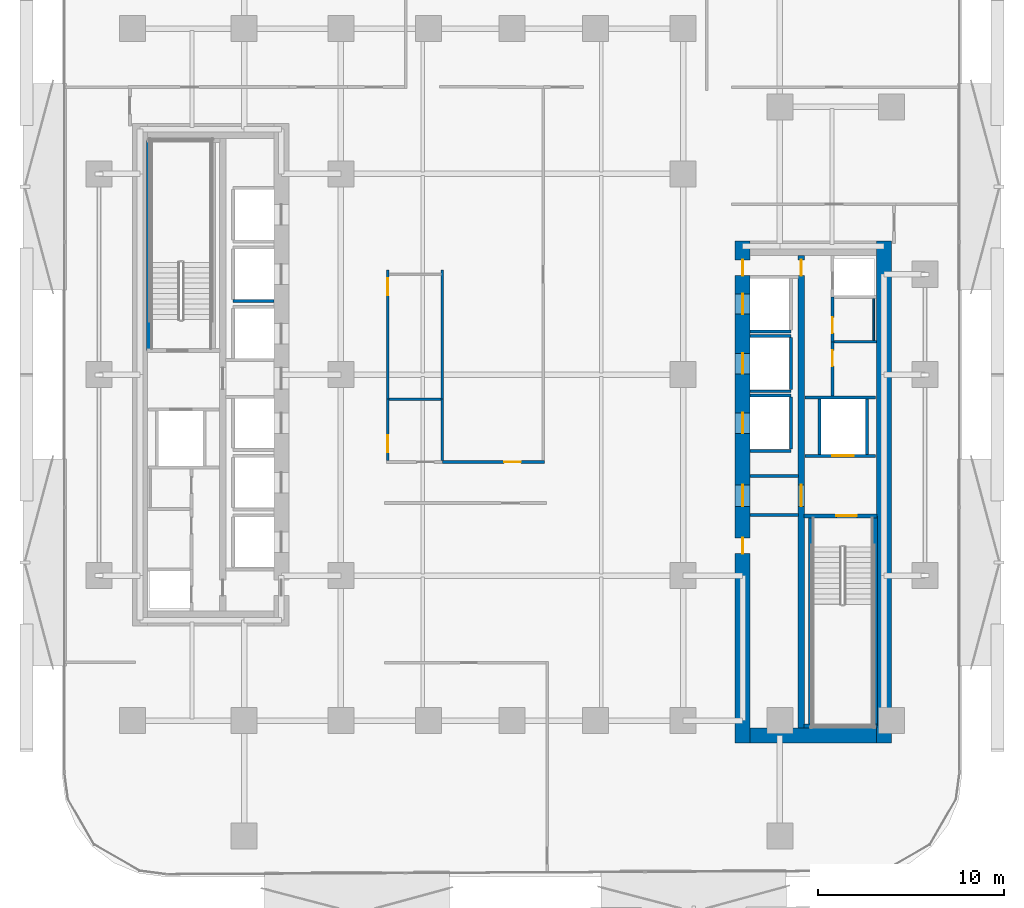
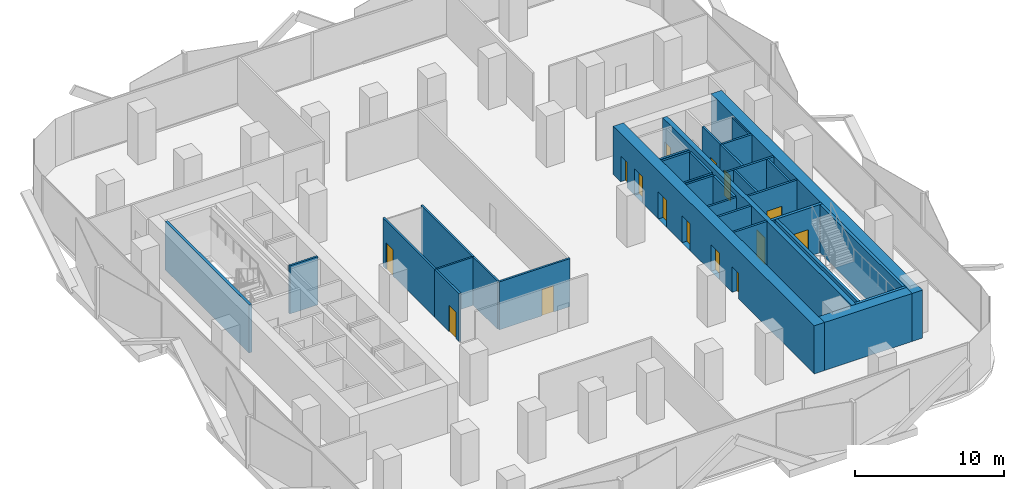
# One storey, part 4 of 15: 33 walls, 15 doors, 15 openings.
"""IFC4 building model written with IfcOpenShell, lengths in metres."""

from ifc_helpers import new_model, si_unit, direction, frame, frame_2d, origin, place, context, subcontext, project, spatial, rectangle, extrude, material, layer, layer_set, type_object, element, fill, save


model = new_model("IFC4")

# Units and contexts
model_context = context("Model", 3, precision=1e-05, world=origin(), true_north=direction((0.0, 1.0)))
body_context = subcontext(model_context, "Body", "Model", "MODEL_VIEW")
ifc_project = project(units=[si_unit("LENGTHUNIT", "METRE"), si_unit("AREAUNIT", "SQUARE_METRE"), si_unit("VOLUMEUNIT", "CUBIC_METRE"), si_unit("PLANEANGLEUNIT", "RADIAN"), si_unit("MASSUNIT", "GRAM", prefix="KILO")], contexts=[model_context])

# Site, building, storey
site_placement = place(None, origin())
site = spatial("IfcSite", under=ifc_project, at=site_placement, CompositionType="ELEMENT")
building_placement = place(site_placement, origin())
building = spatial("IfcBuilding", under=site, at=building_placement, Name="Khairoan Windgate Tower", CompositionType="ELEMENT")
storey_placement = place(building_placement, frame((0.0, 0.0, 72.199951171875)))
storey = spatial("IfcBuildingStorey", under=building, at=storey_placement, Name="L17", CompositionType="ELEMENT", Elevation=72.199951171875)

# Walls
ifc_material_1 = material(Name="Moisture-Resistant Gypsum Partition", Category="gypsum")
ifc_layer_1 = layer(ifc_material_1, 0.10009765625, Name="Moisture-Resistant Gypsum Partition")
ifc_layer_set_1 = layer_set([ifc_layer_1], Name="Moisture-Resistant Gypsum Partition")
wall_type_1 = type_object("IfcWallType", Name="Bathroom Wet-Area Partition Wall", PredefinedType="PARTITIONING", material=ifc_layer_set_1)
wall_1_placement = place(storey_placement, frame((19.449951171875, 4.090087890625, 0.0), z_axis=(0.0, 0.0, 1.0), x_axis=(0.0, -1.0, 0.0)))
element("IfcWall", 1, at=wall_1_placement, inside=storey, type_object=wall_type_1, Name="L17 Wet Room Side Wall 037", PredefinedType="PARTITIONING", context=body_context, shape_type="SweptSolid", body=[
    extrude(rectangle(XDim=2.239990234375, YDim=0.10009765625, at=frame_2d((1.1201171875, 0.0))), origin(), (0.0, 0.0, 1.0), 3.93994140625),
])
ifc_material_2 = material(Name="Concrete C40/50", Category="concrete")
ifc_layer_2 = layer(ifc_material_2, 0.159912109375, Name="Concrete C40/50")
ifc_layer_set_2 = layer_set([ifc_layer_2], Name="Concrete C40/50")
wall_type_2 = type_object("IfcWallType", Name="Core and Hoistway Enclosure Wall", PredefinedType="STANDARD", material=ifc_layer_set_2)
for number, where, z_axis, x_axis, name in (
    (2, (-14.989990234375, 3.9599609375, 0.0), (0.0, 0.0, 1.0), (1.0, 0.0, 0.0), "L17 Lift PL2 Hoistway Divider S"),
    (3, (12.800048828125, 2.31005859375, 0.0), (0.0, 0.0, 1.0), (1.0, 0.0, 0.0), "L17 Lift PL7 Hoistway Divider S"),
    (4, (12.800048828125, -0.889892578125, 0.0), (0.0, 0.0, 1.0), (1.0, 0.0, 0.0), "L17 Lift PL8 Hoistway Divider S"),
    (5, (12.800048828125, 2.090087890625, 0.0), (0.0, 0.0, 1.0), (1.0, 0.0, 0.0), "L17 Lift PL8 Hoistway Divider N"),
):
    element("IfcWall", number, at=place(storey_placement, frame(where, z_axis=z_axis, x_axis=x_axis)), inside=storey, type_object=wall_type_2, Name=name, PredefinedType="STANDARD", context=body_context, shape_type="SweptSolid", body=[
        extrude(rectangle(XDim=2.18994140625, YDim=0.159912109375, at=frame_2d((1.094970703125, 0.0))), origin(), (0.0, 0.0, 1.0), 3.93994140625),
    ])
wall_2_placement = place(storey_placement, frame((14.989990234375, -0.800048828125, 0.0), z_axis=(0.0, 0.0, 1.0), x_axis=(0.0, 1.0, 0.0)))
element("IfcWall", 6, at=wall_2_placement, inside=storey, type_object=wall_type_2, Name="L17 Lift PL8 Hoistway Back Wall", PredefinedType="STANDARD", context=body_context, shape_type="SweptSolid", body=[
    extrude(rectangle(XDim=2.800048828125, YDim=0.159912109375, at=frame_2d((1.39990234375, 0.0))), origin(), (0.0, 0.0, 1.0), 3.93994140625),
])
for number, where, z_axis, x_axis, name in (
    (7, (12.800048828125, -4.090087890625, 0.0), (0.0, 0.0, 1.0), (1.0, 0.0, 0.0), "L17 Lift PL9 Hoistway Divider S"),
    (8, (12.800048828125, -1.110107421875, 0.0), (0.0, 0.0, 1.0), (1.0, 0.0, 0.0), "L17 Lift PL9 Hoistway Divider N"),
):
    element("IfcWall", number, at=place(storey_placement, frame(where, z_axis=z_axis, x_axis=x_axis)), inside=storey, type_object=wall_type_2, Name=name, PredefinedType="STANDARD", context=body_context, shape_type="SweptSolid", body=[
        extrude(rectangle(XDim=2.18994140625, YDim=0.159912109375, at=frame_2d((1.094970703125, 0.0))), origin(), (0.0, 0.0, 1.0), 3.93994140625),
    ])
wall_3_placement = place(storey_placement, frame((14.989990234375, -4.0, 0.0), z_axis=(0.0, 0.0, 1.0), x_axis=(0.0, 1.0, 0.0)))
element("IfcWall", 9, at=wall_3_placement, inside=storey, type_object=wall_type_2, Name="L17 Lift PL9 Hoistway Back Wall", PredefinedType="STANDARD", context=body_context, shape_type="SweptSolid", body=[
    extrude(rectangle(XDim=2.800048828125, YDim=0.159912109375, at=frame_2d((1.39990234375, 0.0))), origin(), (0.0, 0.0, 1.0), 3.93994140625),
])

# Wall, opening, door
wall_4_placement = place(storey_placement, frame((15.75, -4.360107421875, 0.0), z_axis=(0.0, 0.0, 1.0), x_axis=(1.0, 0.0, 0.0)))
wall_4 = element("IfcWall", 10, at=wall_4_placement, inside=storey, type_object=wall_type_2, Name="L17 Core Shaft Wall SW-FL1-L17", PredefinedType="STANDARD", context=body_context, shape_type="SweptSolid", body=[
    extrude(rectangle(XDim=3.800048828125, YDim=0.159912109375, at=frame_2d((1.89990234375, 0.0))), origin(), (0.0, 0.0, 1.0), 3.93994140625),
])
opening_1_placement = place(wall_4_placement, frame((1.469970703125, 0.0, 0.0)))
opening_1 = element("IfcOpeningElement", 11, at=opening_1_placement, cuts=wall_4, Name="Opening LD-FL", PredefinedType="OPENING", context=body_context, shape_type="SweptSolid", body=[
    extrude(rectangle(XDim=1.14990234375, YDim=2.199951171875, at=frame_2d((0.574951171875, 1.10009765625))), frame((0.0, 0.08984375, 0.0), z_axis=(0.0, -1.0, 0.0), x_axis=(1.0, 0.0, 0.0)), (0.0, 0.0, 1.0), 0.179931640625),
])
ifc_material_3 = material(Name="Steel S355", Category="steel")
door_type_1 = type_object("IfcDoorType", Name="Firefighting Lift Sliding Landing Door LD-FL 1150x2200", OperationType="DOUBLE_DOOR_SLIDING", PredefinedType="DOOR", material=ifc_material_3)
door_1_placement = place(opening_1_placement, origin())
door_1 = element("IfcDoor", 12, at=door_1_placement, inside=storey, type_object=door_type_1, Name="L17 Firefighting Lift FL1 Landing Door", OperationType="DOUBLE_DOOR_SLIDING", OverallHeight=2.199951171875, OverallWidth=1.14990234375, PredefinedType="DOOR", context=body_context, shape_type="SweptSolid", body=[
    extrude(rectangle(XDim=1.14990234375, YDim=2.199951171875, at=frame_2d((0.574951171875, 1.10009765625))), frame((0.0, 0.02490234375, 0.0), z_axis=(0.0, -1.0, 0.0), x_axis=(1.0, 0.0, 0.0)), (0.0, 0.0, 1.0), 0.050048828125),
])
fill(opening_1, door_1)

# Walls
wall_5_placement = place(storey_placement, frame((15.75, -1.219970703125, 0.0), z_axis=(0.0, 0.0, 1.0), x_axis=(1.0, 0.0, 0.0)))
element("IfcWall", 13, at=wall_5_placement, inside=storey, type_object=wall_type_2, Name="L17 Core Shaft Wall SW-FL1T-L17", PredefinedType="STANDARD", context=body_context, shape_type="SweptSolid", body=[
    extrude(rectangle(XDim=3.800048828125, YDim=0.159912109375, at=frame_2d((1.89990234375, 0.0))), origin(), (0.0, 0.0, 1.0), 3.93994140625),
])
for number, where, z_axis, x_axis, name in (
    (14, (16.52001953125, -4.280029296875, 0.0), (0.0, 0.0, 1.0), (0.0, 1.0, 0.0), "L17 Core Shaft Wall SW-FL1W-L17"),
    (15, (19.080078125, -4.280029296875, 0.0), (0.0, 0.0, 1.0), (0.0, 1.0, 0.0), "L17 Core Shaft Wall SW-FL1E-L17"),
):
    element("IfcWall", number, at=place(storey_placement, frame(where, z_axis=z_axis, x_axis=x_axis)), inside=storey, type_object=wall_type_2, Name=name, PredefinedType="STANDARD", context=body_context, shape_type="SweptSolid", body=[
        extrude(rectangle(XDim=2.97998046875, YDim=0.159912109375, at=frame_2d((1.489990234375, 0.0))), origin(), (0.0, 0.0, 1.0), 3.93994140625),
    ])
for number, where, z_axis, x_axis, name in (
    (16, (12.800048828125, -5.449951171875, 0.0), (0.0, 0.0, 1.0), (1.0, 0.0, 0.0), "L17 Core Shaft Wall SW-EV1-L17"),
    (17, (12.800048828125, -7.5400390625, 0.0), (0.0, 0.0, 1.0), (1.0, 0.0, 0.0), "L17 Core Shaft Wall SW-EV2-L17"),
):
    element("IfcWall", number, at=place(storey_placement, frame(where, z_axis=z_axis, x_axis=x_axis)), inside=storey, type_object=wall_type_2, Name=name, PredefinedType="STANDARD", context=body_context, shape_type="SweptSolid", body=[
        extrude(rectangle(XDim=2.599853515625, YDim=0.159912109375, at=frame_2d((1.2998046875, 0.0))), origin(), (0.0, 0.0, 1.0), 3.93994140625),
    ])
ifc_material_4 = material(Name="Acoustic Fire-Rated Gypsum Partition", Category="gypsum")
ifc_layer_3 = layer(ifc_material_4, 0.139892578125, Name="Acoustic Fire-Rated Gypsum Partition")
ifc_layer_set_3 = layer_set([ifc_layer_3], Name="Acoustic Fire-Rated Gypsum Partition")
wall_type_3 = type_object("IfcWallType", Name="Inter-Tenancy Compartment Wall", PredefinedType="PARTITIONING", material=ifc_layer_set_3)
wall_6_placement = place(storey_placement, frame((-6.610107421875, -1.320068359375, 0.0), z_axis=(0.0, 0.0, 1.0), x_axis=(1.0, 0.0, 0.0)))
element("IfcWall", 18, at=wall_6_placement, inside=storey, type_object=wall_type_3, Name="L17 Interior Partition 033", PredefinedType="PARTITIONING", context=body_context, shape_type="SweptSolid", body=[
    extrude(rectangle(XDim=2.800048828125, YDim=0.139892578125, at=frame_2d((1.39990234375, 0.0))), origin(), (0.0, 0.0, 1.0), 3.93994140625),
])
wall_7_placement = place(storey_placement, frame((-3.739990234375, -4.6201171875, 0.0), z_axis=(0.0, 0.0, 1.0), x_axis=(0.0, 1.0, 0.0)))
element("IfcWall", 19, at=wall_7_placement, inside=storey, type_object=wall_type_3, Name="L17 Interior Partition 034", PredefinedType="PARTITIONING", context=body_context, shape_type="SweptSolid", body=[
    extrude(rectangle(XDim=3.300048828125, YDim=0.139892578125, at=frame_2d((1.64990234375, 0.0))), origin(), (0.0, 0.0, 1.0), 3.93994140625),
])
wall_8_placement = place(storey_placement, frame((-3.739990234375, -1.320068359375, 0.0), z_axis=(0.0, 0.0, 1.0), x_axis=(0.0, 1.0, 0.0)))
element("IfcWall", 20, at=wall_8_placement, inside=storey, type_object=wall_type_3, Name="L17 Interior Partition 035", PredefinedType="PARTITIONING", context=body_context, shape_type="SweptSolid", body=[
    extrude(rectangle(XDim=6.9599609375, YDim=0.139892578125, at=frame_2d((3.47998046875, 0.0))), origin(), (0.0, 0.0, 1.0), 3.93994140625),
])

# Wall, opening, door
ifc_material_5 = material(Name="Concrete C40/50", Category="concrete")
ifc_layer_4 = layer(ifc_material_5, 0.159912109375, Name="Concrete C40/50")
ifc_layer_set_4 = layer_set([ifc_layer_4], Name="Concrete C40/50")
wall_type_4 = type_object("IfcWallType", Name="Plant and Refuge Compartment Wall", PredefinedType="PARTITIONING", material=ifc_layer_set_4)
wall_9_placement = place(storey_placement, frame((17.22998046875, 1.77001953125, 0.0), z_axis=(0.0, 0.0, 1.0), x_axis=(0.0, 1.0, 0.0)))
wall_9 = element("IfcWall", 21, at=wall_9_placement, inside=storey, type_object=wall_type_4, Name="L17 Interior Partition 007", PredefinedType="PARTITIONING", context=body_context, shape_type="SweptSolid", body=[
    extrude(rectangle(XDim=2.39990234375, YDim=0.159912109375, at=frame_2d((1.199951171875, 0.0))), origin(), (0.0, 0.0, 1.0), 3.93994140625),
])
opening_2_placement = place(wall_9_placement, frame((0.4599609375, 0.0, 0.0)))
opening_2 = element("IfcOpeningElement", 22, at=opening_2_placement, cuts=wall_9, Name="Opening FD-SRV", PredefinedType="OPENING", context=body_context, shape_type="SweptSolid", body=[
    extrude(rectangle(XDim=0.85009765625, YDim=2.10009765625, at=frame_2d((0.425048828125, 1.050048828125))), frame((0.0, 0.08984375, 0.0), z_axis=(0.0, -1.0, 0.0), x_axis=(1.0, 0.0, 0.0)), (0.0, 0.0, 1.0), 0.179931640625),
])
ifc_material_6 = material(Name="Steel S355", Category="steel")
door_type_2 = type_object("IfcDoorType", Name="Core Service and Riser Fire Door FD-SRV 850x2100", OperationType="NOTDEFINED", PredefinedType="DOOR", material=ifc_material_6)
door_2_placement = place(opening_2_placement, origin())
door_2 = element("IfcDoor", 23, at=door_2_placement, inside=storey, type_object=door_type_2, Name="L17 L17-19-L17-21 Door", OperationType="SINGLE_SWING_LEFT", OverallHeight=2.10009765625, OverallWidth=0.85009765625, PredefinedType="DOOR", context=body_context, shape_type="SweptSolid", body=[
    extrude(rectangle(XDim=0.85009765625, YDim=2.10009765625, at=frame_2d((0.425048828125, 1.050048828125))), frame((0.0, 0.02490234375, 0.0), z_axis=(0.0, -1.0, 0.0), x_axis=(1.0, 0.0, 0.0)), (0.0, 0.0, 1.0), 0.050048828125),
])
fill(opening_2, door_2)

wall_10_placement = place(storey_placement, frame((17.22998046875, -1.139892578125, 0.0), z_axis=(0.0, 0.0, 1.0), x_axis=(0.0, 1.0, 0.0)))
wall_10 = element("IfcWall", 24, at=wall_10_placement, inside=storey, type_object=wall_type_4, Name="L17 Interior Partition 008", PredefinedType="PARTITIONING", context=body_context, shape_type="SweptSolid", body=[
    extrude(rectangle(XDim=2.909912109375, YDim=0.159912109375, at=frame_2d((1.455078125, 0.0))), origin(), (0.0, 0.0, 1.0), 3.93994140625),
])
opening_3_placement = place(wall_10_placement, frame((1.60009765625, 0.0, 0.0)))
opening_3 = element("IfcOpeningElement", 25, at=opening_3_placement, cuts=wall_10, Name="Opening FD-SRV", PredefinedType="OPENING", context=body_context, shape_type="SweptSolid", body=[
    extrude(rectangle(XDim=0.85009765625, YDim=2.10009765625, at=frame_2d((0.425048828125, 1.050048828125))), frame((0.0, 0.08984375, 0.0), z_axis=(0.0, -1.0, 0.0), x_axis=(1.0, 0.0, 0.0)), (0.0, 0.0, 1.0), 0.179931640625),
])
door_3_placement = place(opening_3_placement, origin())
door_3 = element("IfcDoor", 26, at=door_3_placement, inside=storey, type_object=door_type_2, Name="L17 L17-19-L17-22 Door", OperationType="SINGLE_SWING_RIGHT", OverallHeight=2.10009765625, OverallWidth=0.85009765625, PredefinedType="DOOR", context=body_context, shape_type="SweptSolid", body=[
    extrude(rectangle(XDim=0.85009765625, YDim=2.10009765625, at=frame_2d((0.425048828125, 1.050048828125))), frame((0.0, 0.02490234375, 0.0), z_axis=(0.0, -1.0, 0.0), x_axis=(1.0, 0.0, 0.0)), (0.0, 0.0, 1.0), 0.050048828125),
])
fill(opening_3, door_3)

# Wall
wall_11_placement = place(storey_placement, frame((17.31005859375, 1.77001953125, 0.0), z_axis=(0.0, 0.0, 1.0), x_axis=(1.0, 0.0, 0.0)))
element("IfcWall", 27, at=wall_11_placement, inside=storey, type_object=wall_type_4, Name="L17 Interior Partition 010", PredefinedType="PARTITIONING", context=body_context, shape_type="SweptSolid", body=[
    extrude(rectangle(XDim=2.2900390625, YDim=0.159912109375, at=frame_2d((1.14501953125, 0.0))), origin(), (0.0, 0.0, 1.0), 3.93994140625),
])

# Wall, opening, door
ifc_material_7 = material(Name="Acoustic Fire-Rated Gypsum Partition", Category="gypsum")
ifc_layer_5 = layer(ifc_material_7, 0.14990234375, Name="Acoustic Fire-Rated Gypsum Partition")
ifc_layer_set_5 = layer_set([ifc_layer_5], Name="Acoustic Fire-Rated Gypsum Partition")
wall_type_5 = type_object("IfcWallType", Name="Rated Corridor Partition Wall", PredefinedType="PARTITIONING", material=ifc_layer_set_5)
wall_12_placement = place(storey_placement, frame((-3.739990234375, -4.695068359375, 0.0), z_axis=(0.0, 0.0, 1.0), x_axis=(1.0, 0.0, 0.0)))
wall_12 = element("IfcWall", 28, at=wall_12_placement, inside=storey, type_object=wall_type_5, Name="L17 Interior Partition 013", PredefinedType="PARTITIONING", context=body_context, shape_type="SweptSolid", body=[
    extrude(rectangle(XDim=5.5, YDim=0.14990234375, at=frame_2d((2.75, 0.0))), origin(), (0.0, 0.0, 1.0), 3.93994140625),
])
opening_4_placement = place(wall_12_placement, frame((3.322265625, 0.0, 0.0)))
opening_4 = element("IfcOpeningElement", 29, at=opening_4_placement, cuts=wall_12, Name="Opening FD-ENT", PredefinedType="OPENING", context=body_context, shape_type="SweptSolid", body=[
    extrude(rectangle(XDim=0.89990234375, YDim=2.14990234375, at=frame_2d((0.449951171875, 1.074951171875))), frame((0.0, 0.0849609375, 0.0), z_axis=(0.0, -1.0, 0.0), x_axis=(1.0, 0.0, 0.0)), (0.0, 0.0, 1.0), 0.169921875),
])
ifc_material_8 = material(Name="Timber Fire-Rated Core", Category="wood")
door_type_3 = type_object("IfcDoorType", Name="Unit and Office Fire Entrance Door FD-ENT 900x2150", OperationType="NOTDEFINED", PredefinedType="DOOR", material=ifc_material_8)
door_4_placement = place(opening_4_placement, origin())
door_4 = element("IfcDoor", 30, at=door_4_placement, inside=storey, type_object=door_type_3, Name="L17 L17-31-L17-46 Door", OperationType="SINGLE_SWING_LEFT", OverallHeight=2.14990234375, OverallWidth=0.89990234375, PredefinedType="DOOR", context=body_context, shape_type="SweptSolid", body=[
    extrude(rectangle(XDim=0.89990234375, YDim=2.14990234375, at=frame_2d((0.449951171875, 1.074951171875))), frame((0.0, 0.02490234375, 0.0), z_axis=(0.0, -1.0, 0.0), x_axis=(1.0, 0.0, 0.0)), (0.0, 0.0, 1.0), 0.050048828125),
])
fill(opening_4, door_4)

wall_13_placement = place(storey_placement, frame((-6.68505859375, -4.6201171875, 0.0), z_axis=(0.0, 0.0, 1.0), x_axis=(0.0, 1.0, 0.0)))
wall_13 = element("IfcWall", 31, at=wall_13_placement, inside=storey, type_object=wall_type_5, Name="L17 Interior Partition 016", PredefinedType="PARTITIONING", context=body_context, shape_type="SweptSolid", body=[
    extrude(rectangle(XDim=3.300048828125, YDim=0.14990234375, at=frame_2d((1.64990234375, 0.0))), origin(), (0.0, 0.0, 1.0), 3.93994140625),
])
opening_5_placement = place(wall_13_placement, frame((0.4599609375, 0.0, 0.0)))
opening_5 = element("IfcOpeningElement", 32, at=opening_5_placement, cuts=wall_13, Name="Opening FD-ENT", PredefinedType="OPENING", context=body_context, shape_type="SweptSolid", body=[
    extrude(rectangle(XDim=0.89990234375, YDim=2.14990234375, at=frame_2d((0.449951171875, 1.074951171875))), frame((0.0, 0.0849609375, 0.0), z_axis=(0.0, -1.0, 0.0), x_axis=(1.0, 0.0, 0.0)), (0.0, 0.0, 1.0), 0.169921875),
])
door_5_placement = place(opening_5_placement, origin())
door_5 = element("IfcDoor", 33, at=door_5_placement, inside=storey, type_object=door_type_3, Name="L17 L17-32-L17-44 Door", OperationType="SINGLE_SWING_RIGHT", OverallHeight=2.14990234375, OverallWidth=0.89990234375, PredefinedType="DOOR", context=body_context, shape_type="SweptSolid", body=[
    extrude(rectangle(XDim=0.89990234375, YDim=2.14990234375, at=frame_2d((0.449951171875, 1.074951171875))), frame((0.0, 0.02490234375, 0.0), z_axis=(0.0, -1.0, 0.0), x_axis=(1.0, 0.0, 0.0)), (0.0, 0.0, 1.0), 0.050048828125),
])
fill(opening_5, door_5)

wall_14_placement = place(storey_placement, frame((-6.68505859375, -1.320068359375, 0.0), z_axis=(0.0, 0.0, 1.0), x_axis=(0.0, 1.0, 0.0)))
wall_14 = element("IfcWall", 34, at=wall_14_placement, inside=storey, type_object=wall_type_5, Name="L17 Interior Partition 017", PredefinedType="PARTITIONING", context=body_context, shape_type="SweptSolid", body=[
    extrude(rectangle(XDim=6.9599609375, YDim=0.14990234375, at=frame_2d((3.47998046875, 0.0))), origin(), (0.0, 0.0, 1.0), 3.93994140625),
])
opening_6_placement = place(wall_14_placement, frame((5.60009765625, 0.0, 0.0)))
opening_6 = element("IfcOpeningElement", 35, at=opening_6_placement, cuts=wall_14, Name="Opening FD-ENT", PredefinedType="OPENING", context=body_context, shape_type="SweptSolid", body=[
    extrude(rectangle(XDim=0.89990234375, YDim=2.14990234375, at=frame_2d((0.449951171875, 1.074951171875))), frame((0.0, 0.0849609375, 0.0), z_axis=(0.0, -1.0, 0.0), x_axis=(1.0, 0.0, 0.0)), (0.0, 0.0, 1.0), 0.169921875),
])
door_6_placement = place(opening_6_placement, origin())
door_6 = element("IfcDoor", 36, at=door_6_placement, inside=storey, type_object=door_type_3, Name="L17 L17-32-L17-45 Door", OperationType="SINGLE_SWING_LEFT", OverallHeight=2.14990234375, OverallWidth=0.89990234375, PredefinedType="DOOR", context=body_context, shape_type="SweptSolid", body=[
    extrude(rectangle(XDim=0.89990234375, YDim=2.14990234375, at=frame_2d((0.449951171875, 1.074951171875))), frame((0.0, 0.02490234375, 0.0), z_axis=(0.0, -1.0, 0.0), x_axis=(1.0, 0.0, 0.0)), (0.0, 0.0, 1.0), 0.050048828125),
])
fill(opening_6, door_6)

# Wall, openings, doors
ifc_material_9 = material(Name="Concrete C70/85", Category="concrete")
ifc_layer_6 = layer(ifc_material_9, 0.800048828125, Name="Concrete C70/85")
ifc_layer_set_6 = layer_set([ifc_layer_6], Name="Concrete C70/85")
wall_type_6 = type_object("IfcWallType", Name="Shear Wall CW-E1 800mm", PredefinedType="SHEAR", material=ifc_layer_set_6)
wall_15_placement = place(storey_placement, frame((12.39990234375, -19.800048828125, 0.0), z_axis=(0.0, 0.0, 1.0), x_axis=(0.0, 1.0, 0.0)))
wall_15 = element("IfcWall", 37, at=wall_15_placement, inside=storey, type_object=wall_type_6, Name="E Core West Shear Wall L17", PredefinedType="SHEAR", context=body_context, shape_type="SweptSolid", body=[
    extrude(rectangle(XDim=27.0, YDim=0.800048828125, at=frame_2d((13.5, 0.0))), origin(), (0.0, 0.0, 1.0), 3.93994140625),
])
opening_7_placement = place(wall_15_placement, frame((23.050048828125, 0.0, 0.0)))
opening_7 = element("IfcOpeningElement", 38, at=opening_7_placement, cuts=wall_15, Name="Opening LD-PL", PredefinedType="OPENING", context=body_context, shape_type="SweptSolid", body=[
    extrude(rectangle(XDim=1.10009765625, YDim=2.199951171875, at=frame_2d((0.550048828125, 1.10009765625))), frame((0.0, 0.409912109375, 0.0), z_axis=(0.0, -1.0, 0.0), x_axis=(1.0, 0.0, 0.0)), (0.0, 0.0, 1.0), 0.820068359375),
])
opening_8_placement = place(wall_15_placement, frame((19.85009765625, 0.0, 0.0)))
opening_8 = element("IfcOpeningElement", 39, at=opening_8_placement, cuts=wall_15, Name="Opening LD-PL", PredefinedType="OPENING", context=body_context, shape_type="SweptSolid", body=[
    extrude(rectangle(XDim=1.10009765625, YDim=2.199951171875, at=frame_2d((0.550048828125, 1.10009765625))), frame((0.0, 0.409912109375, 0.0), z_axis=(0.0, -1.0, 0.0), x_axis=(1.0, 0.0, 0.0)), (0.0, 0.0, 1.0), 0.820068359375),
])
opening_9_placement = place(wall_15_placement, frame((16.64990234375, 0.0, 0.0)))
opening_9 = element("IfcOpeningElement", 40, at=opening_9_placement, cuts=wall_15, Name="Opening LD-PL", PredefinedType="OPENING", context=body_context, shape_type="SweptSolid", body=[
    extrude(rectangle(XDim=1.10009765625, YDim=2.199951171875, at=frame_2d((0.550048828125, 1.10009765625))), frame((0.0, 0.409912109375, 0.0), z_axis=(0.0, -1.0, 0.0), x_axis=(1.0, 0.0, 0.0)), (0.0, 0.0, 1.0), 0.820068359375),
])
opening_10_placement = place(wall_15_placement, frame((10.175048828125, 0.0, 0.0)))
opening_10 = element("IfcOpeningElement", 41, at=opening_10_placement, cuts=wall_15, Name="Opening FD-SRV", PredefinedType="OPENING", context=body_context, shape_type="SweptSolid", body=[
    extrude(rectangle(XDim=0.85009765625, YDim=2.10009765625, at=frame_2d((0.425048828125, 1.050048828125))), frame((0.0, 0.409912109375, 0.0), z_axis=(0.0, -1.0, 0.0), x_axis=(1.0, 0.0, 0.0)), (0.0, 0.0, 1.0), 0.820068359375),
])
opening_11_placement = place(wall_15_placement, frame((12.72509765625, 0.0, 0.0)))
opening_11 = element("IfcOpeningElement", 42, at=opening_11_placement, cuts=wall_15, Name="Opening FD-FFL", PredefinedType="OPENING", context=body_context, shape_type="SweptSolid", body=[
    extrude(rectangle(XDim=1.14990234375, YDim=2.199951171875, at=frame_2d((0.574951171875, 1.10009765625))), frame((0.0, 0.409912109375, 0.0), z_axis=(0.0, -1.0, 0.0), x_axis=(1.0, 0.0, 0.0)), (0.0, 0.0, 1.0), 0.820068359375),
])
opening_12_placement = place(wall_15_placement, frame((25.125, 0.0, 0.0)))
opening_12 = element("IfcOpeningElement", 43, at=opening_12_placement, cuts=wall_15, Name="Opening FD-SRV", PredefinedType="OPENING", context=body_context, shape_type="SweptSolid", body=[
    extrude(rectangle(XDim=0.85009765625, YDim=2.10009765625, at=frame_2d((0.425048828125, 1.050048828125))), frame((0.0, 0.409912109375, 0.0), z_axis=(0.0, -1.0, 0.0), x_axis=(1.0, 0.0, 0.0)), (0.0, 0.0, 1.0), 0.820068359375),
])
door_7_placement = place(opening_10_placement, origin())
door_7 = element("IfcDoor", 44, at=door_7_placement, inside=storey, type_object=door_type_2, Name="L17 East Core Service Room Door 1", OperationType="SINGLE_SWING_RIGHT", OverallHeight=2.10009765625, OverallWidth=0.85009765625, PredefinedType="DOOR", context=body_context, shape_type="SweptSolid", body=[
    extrude(rectangle(XDim=0.85009765625, YDim=2.10009765625, at=frame_2d((0.425048828125, 1.050048828125))), frame((0.0, 0.02490234375, 0.0), z_axis=(0.0, -1.0, 0.0), x_axis=(1.0, 0.0, 0.0)), (0.0, 0.0, 1.0), 0.050048828125),
])
fill(opening_10, door_7)
door_8_placement = place(opening_12_placement, origin())
door_8 = element("IfcDoor", 45, at=door_8_placement, inside=storey, type_object=door_type_2, Name="L17 East Core Service Vestibule Outer Door", OperationType="SINGLE_SWING_LEFT", OverallHeight=2.10009765625, OverallWidth=0.85009765625, PredefinedType="DOOR", context=body_context, shape_type="SweptSolid", body=[
    extrude(rectangle(XDim=0.85009765625, YDim=2.10009765625, at=frame_2d((0.425048828125, 1.050048828125))), frame((0.0, 0.02490234375, 0.0), z_axis=(0.0, -1.0, 0.0), x_axis=(1.0, 0.0, 0.0)), (0.0, 0.0, 1.0), 0.050048828125),
])
fill(opening_12, door_8)
ifc_material_10 = material(Name="Steel S355", Category="steel")
door_type_4 = type_object("IfcDoorType", Name="Firefighting Lobby Fire Door FD-FFL 1150x2200", OperationType="NOTDEFINED", PredefinedType="DOOR", material=ifc_material_10)
door_9_placement = place(opening_11_placement, origin())
door_9 = element("IfcDoor", 46, at=door_9_placement, inside=storey, type_object=door_type_4, Name="L17 East Core Vestibule Entry Door", OperationType="SINGLE_SWING_LEFT", OverallHeight=2.199951171875, OverallWidth=1.14990234375, PredefinedType="DOOR", context=body_context, shape_type="SweptSolid", body=[
    extrude(rectangle(XDim=1.14990234375, YDim=2.199951171875, at=frame_2d((0.574951171875, 1.10009765625))), frame((0.0, 0.02490234375, 0.0), z_axis=(0.0, -1.0, 0.0), x_axis=(1.0, 0.0, 0.0)), (0.0, 0.0, 1.0), 0.050048828125),
])
fill(opening_11, door_9)
ifc_material_11 = material(Name="Anodised Bronze Aluminium 6063-T6", Category="aluminium")
door_type_5 = type_object("IfcDoorType", Name="Passenger Lift Sliding Landing Door LD-PL 1100x2200", OperationType="DOUBLE_DOOR_SLIDING", PredefinedType="DOOR", material=ifc_material_11)
door_10_placement = place(opening_7_placement, origin())
door_10 = element("IfcDoor", 47, at=door_10_placement, inside=storey, type_object=door_type_5, Name="L17 Lift PL7 Sliding Landing Door", OperationType="DOUBLE_DOOR_SLIDING", OverallHeight=2.199951171875, OverallWidth=1.10009765625, PredefinedType="DOOR", context=body_context, shape_type="SweptSolid", body=[
    extrude(rectangle(XDim=1.10009765625, YDim=2.199951171875, at=frame_2d((0.550048828125, 1.10009765625))), frame((0.0, 0.02490234375, 0.0), z_axis=(0.0, -1.0, 0.0), x_axis=(1.0, 0.0, 0.0)), (0.0, 0.0, 1.0), 0.050048828125),
])
fill(opening_7, door_10)
door_11_placement = place(opening_8_placement, origin())
door_11 = element("IfcDoor", 48, at=door_11_placement, inside=storey, type_object=door_type_5, Name="L17 Lift PL8 Sliding Landing Door", OperationType="DOUBLE_DOOR_SLIDING", OverallHeight=2.199951171875, OverallWidth=1.10009765625, PredefinedType="DOOR", context=body_context, shape_type="SweptSolid", body=[
    extrude(rectangle(XDim=1.10009765625, YDim=2.199951171875, at=frame_2d((0.550048828125, 1.10009765625))), frame((0.0, 0.02490234375, 0.0), z_axis=(0.0, -1.0, 0.0), x_axis=(1.0, 0.0, 0.0)), (0.0, 0.0, 1.0), 0.050048828125),
])
fill(opening_8, door_11)
door_12_placement = place(opening_9_placement, origin())
door_12 = element("IfcDoor", 49, at=door_12_placement, inside=storey, type_object=door_type_5, Name="L17 Lift PL9 Sliding Landing Door", OperationType="DOUBLE_DOOR_SLIDING", OverallHeight=2.199951171875, OverallWidth=1.10009765625, PredefinedType="DOOR", context=body_context, shape_type="SweptSolid", body=[
    extrude(rectangle(XDim=1.10009765625, YDim=2.199951171875, at=frame_2d((0.550048828125, 1.10009765625))), frame((0.0, 0.02490234375, 0.0), z_axis=(0.0, -1.0, 0.0), x_axis=(1.0, 0.0, 0.0)), (0.0, 0.0, 1.0), 0.050048828125),
])
fill(opening_9, door_12)

# Walls
wall_16_placement = place(storey_placement, frame((20.0, -19.800048828125, 0.0), z_axis=(0.0, 0.0, 1.0), x_axis=(0.0, 1.0, 0.0)))
element("IfcWall", 50, at=wall_16_placement, inside=storey, type_object=wall_type_6, Name="E Core East Shear Wall L17", PredefinedType="SHEAR", context=body_context, shape_type="SweptSolid", body=[
    extrude(rectangle(XDim=27.0, YDim=0.800048828125, at=frame_2d((13.5, 0.0))), origin(), (0.0, 0.0, 1.0), 3.93994140625),
])
wall_17_placement = place(storey_placement, frame((12.800048828125, -19.39990234375, 0.0), z_axis=(0.0, 0.0, 1.0), x_axis=(1.0, 0.0, 0.0)))
element("IfcWall", 51, at=wall_17_placement, inside=storey, type_object=wall_type_6, Name="E Core South Shear Wall L17", PredefinedType="SHEAR", context=body_context, shape_type="SweptSolid", body=[
    extrude(rectangle(XDim=6.800048828125, YDim=0.800048828125, at=frame_2d((3.39990234375, 0.0))), origin(), (0.0, 0.0, 1.0), 3.93994140625),
])

# Wall, openings, doors
ifc_material_12 = material(Name="Concrete C60/75", Category="concrete")
ifc_layer_7 = layer(ifc_material_12, 0.35009765625, Name="Concrete C60/75")
ifc_layer_set_7 = layer_set([ifc_layer_7], Name="Concrete C60/75")
wall_type_7 = type_object("IfcWallType", Name="Shear Wall SW-1 350mm", PredefinedType="SHEAR", material=ifc_layer_set_7)
wall_18_placement = place(storey_placement, frame((15.550048828125, -19.0, 0.0), z_axis=(0.0, 0.0, 1.0), x_axis=(0.0, 1.0, 0.0)))
wall_18 = element("IfcWall", 52, at=wall_18_placement, inside=storey, type_object=wall_type_7, Name="E Core Spine Shear Wall L17", PredefinedType="SHEAR", context=body_context, shape_type="SweptSolid", body=[
    extrude(rectangle(XDim=25.39990234375, YDim=0.35009765625, at=frame_2d((12.699951171875, 0.0))), origin(), (0.0, 0.0, 1.0), 3.93994140625),
])
opening_13_placement = place(wall_18_placement, frame((11.925048828125, 0.0, 0.0)))
opening_13 = element("IfcOpeningElement", 53, at=opening_13_placement, cuts=wall_18, Name="Opening FD-FFL", PredefinedType="OPENING", context=body_context, shape_type="SweptSolid", body=[
    extrude(rectangle(XDim=1.14990234375, YDim=2.199951171875, at=frame_2d((0.574951171875, 1.10009765625))), frame((0.0, 0.18505859375, 0.0), z_axis=(0.0, -1.0, 0.0), x_axis=(1.0, 0.0, 0.0)), (0.0, 0.0, 1.0), 0.3701171875),
])
opening_14_placement = place(wall_18_placement, frame((24.324951171875, 0.0, 0.0)))
opening_14 = element("IfcOpeningElement", 54, at=opening_14_placement, cuts=wall_18, Name="Opening FD-SRV", PredefinedType="OPENING", context=body_context, shape_type="SweptSolid", body=[
    extrude(rectangle(XDim=0.85009765625, YDim=2.10009765625, at=frame_2d((0.425048828125, 1.050048828125))), frame((0.0, 0.18505859375, 0.0), z_axis=(0.0, -1.0, 0.0), x_axis=(1.0, 0.0, 0.0)), (0.0, 0.0, 1.0), 0.3701171875),
])
door_13_placement = place(opening_14_placement, origin())
door_13 = element("IfcDoor", 55, at=door_13_placement, inside=storey, type_object=door_type_2, Name="L17 East Core Service Passage Inner Door", OperationType="SINGLE_SWING_RIGHT", OverallHeight=2.10009765625, OverallWidth=0.85009765625, PredefinedType="DOOR", context=body_context, shape_type="SweptSolid", body=[
    extrude(rectangle(XDim=0.85009765625, YDim=2.10009765625, at=frame_2d((0.425048828125, 1.050048828125))), frame((0.0, 0.02490234375, 0.0), z_axis=(0.0, -1.0, 0.0), x_axis=(1.0, 0.0, 0.0)), (0.0, 0.0, 1.0), 0.050048828125),
])
fill(opening_14, door_13)
door_14_placement = place(opening_13_placement, origin())
door_14 = element("IfcDoor", 56, at=door_14_placement, inside=storey, type_object=door_type_4, Name="L17 East Firefighting Lobby Fire Door", OperationType="SINGLE_SWING_RIGHT", OverallHeight=2.199951171875, OverallWidth=1.14990234375, PredefinedType="DOOR", context=body_context, shape_type="SweptSolid", body=[
    extrude(rectangle(XDim=1.14990234375, YDim=2.199951171875, at=frame_2d((0.574951171875, 1.10009765625))), frame((0.0, 0.02490234375, 0.0), z_axis=(0.0, -1.0, 0.0), x_axis=(1.0, 0.0, 0.0)), (0.0, 0.0, 1.0), 0.050048828125),
])
fill(opening_13, door_14)

# Walls
ifc_material_13 = material(Name="Concrete C50/60", Category="concrete")
ifc_layer_8 = layer(ifc_material_13, 0.219970703125, Name="Concrete C50/60")
ifc_layer_set_8 = layer_set([ifc_layer_8], Name="Concrete C50/60")
wall_type_8 = type_object("IfcWallType", Name="Shear Wall SW-ST 220mm", PredefinedType="SHEAR", material=ifc_layer_set_8)
for number, where, z_axis, x_axis, name in (
    (57, (16.0400390625, -18.889892578125, 0.0), (0.0, 0.0, 1.0), (0.0, 1.0, 0.0), "L17 Stair ST1 West Bearing Wall"),
    (58, (19.530029296875, -18.889892578125, 0.0), (0.0, 0.0, 1.0), (0.0, 1.0, 0.0), "L17 Stair ST1 East Bearing Wall"),
):
    element("IfcWall", number, at=place(storey_placement, frame(where, z_axis=z_axis, x_axis=x_axis)), inside=storey, type_object=wall_type_8, Name=name, PredefinedType="SHEAR", context=body_context, shape_type="SweptSolid", body=[
        extrude(rectangle(XDim=11.2998046875, YDim=0.219970703125, at=frame_2d((5.64990234375, 0.0))), origin(), (0.0, 0.0, 1.0), 3.93994140625),
    ])
wall_19_placement = place(storey_placement, frame((15.705078125, -18.889892578125, 0.0), z_axis=(0.0, 0.0, 1.0), x_axis=(1.0, 0.0, 0.0)))
element("IfcWall", 59, at=wall_19_placement, inside=storey, type_object=wall_type_8, Name="L17 Stair ST1 South Bearing Wall", PredefinedType="SHEAR", context=body_context, shape_type="SweptSolid", body=[
    extrude(rectangle(XDim=3.9150390625, YDim=0.219970703125, at=frame_2d((1.95751953125, 0.0))), origin(), (0.0, 0.0, 1.0), 3.93994140625),
])

# Wall, opening, door
wall_20_placement = place(storey_placement, frame((19.6201171875, -7.590087890625, 0.0), z_axis=(0.0, 0.0, 1.0), x_axis=(-1.0, 0.0, 0.0)))
wall_20 = element("IfcWall", 60, at=wall_20_placement, inside=storey, type_object=wall_type_8, Name="L17 Stair ST1 North Bearing Wall", PredefinedType="SHEAR", context=body_context, shape_type="SweptSolid", body=[
    extrude(rectangle(XDim=3.9150390625, YDim=0.219970703125, at=frame_2d((1.95751953125, 0.0))), origin(), (0.0, 0.0, 1.0), 3.93994140625),
])
opening_15_placement = place(wall_20_placement, frame((1.080078125, 0.0, 0.0)))
opening_15 = element("IfcOpeningElement", 61, at=opening_15_placement, cuts=wall_20, Name="Opening FD-ST", PredefinedType="OPENING", context=body_context, shape_type="SweptSolid", body=[
    extrude(rectangle(XDim=1.10009765625, YDim=2.199951171875, at=frame_2d((0.550048828125, 1.10009765625))), frame((0.0, 0.119873046875, 0.0), z_axis=(0.0, -1.0, 0.0), x_axis=(1.0, 0.0, 0.0)), (0.0, 0.0, 1.0), 0.239990234375),
])
ifc_material_14 = material(Name="Steel S355", Category="steel")
door_type_6 = type_object("IfcDoorType", Name="Smokeproof Stair Fire Door FD-ST 1100x2200", OperationType="NOTDEFINED", PredefinedType="DOOR", material=ifc_material_14)
door_15_placement = place(opening_15_placement, origin())
door_15 = element("IfcDoor", 62, at=door_15_placement, inside=storey, type_object=door_type_6, Name="L17 Stair ST1 Fire Door", OperationType="SINGLE_SWING_RIGHT", OverallHeight=2.199951171875, OverallWidth=1.10009765625, PredefinedType="DOOR", context=body_context, shape_type="SweptSolid", body=[
    extrude(rectangle(XDim=1.10009765625, YDim=2.199951171875, at=frame_2d((0.550048828125, 1.10009765625))), frame((0.0, 0.02490234375, 0.0), z_axis=(0.0, -1.0, 0.0), x_axis=(1.0, 0.0, 0.0)), (0.0, 0.0, 1.0), 0.050048828125),
])
fill(opening_15, door_15)

# Wall
wall_21_placement = place(storey_placement, frame((-19.530029296875, 1.2900390625, 0.0), z_axis=(0.0, 0.0, 1.0), x_axis=(0.0, 1.0, 0.0)))
element("IfcWall", 63, at=wall_21_placement, inside=storey, type_object=wall_type_8, Name="L17 Stair ST2 West Bearing Wall", PredefinedType="SHEAR", context=body_context, shape_type="SweptSolid", body=[
    extrude(rectangle(XDim=11.300048828125, YDim=0.219970703125, at=frame_2d((5.64990234375, 0.0))), origin(), (0.0, 0.0, 1.0), 3.93994140625),
])

save(model, "model.ifc")
